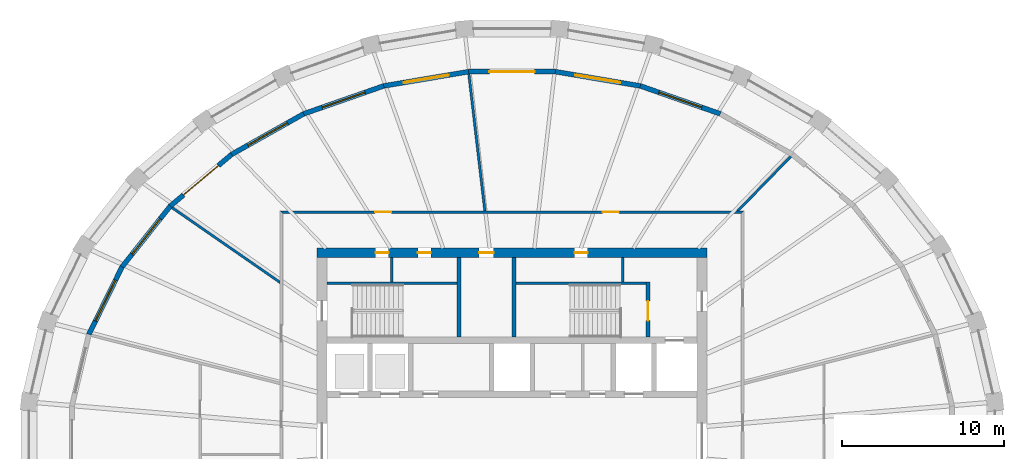
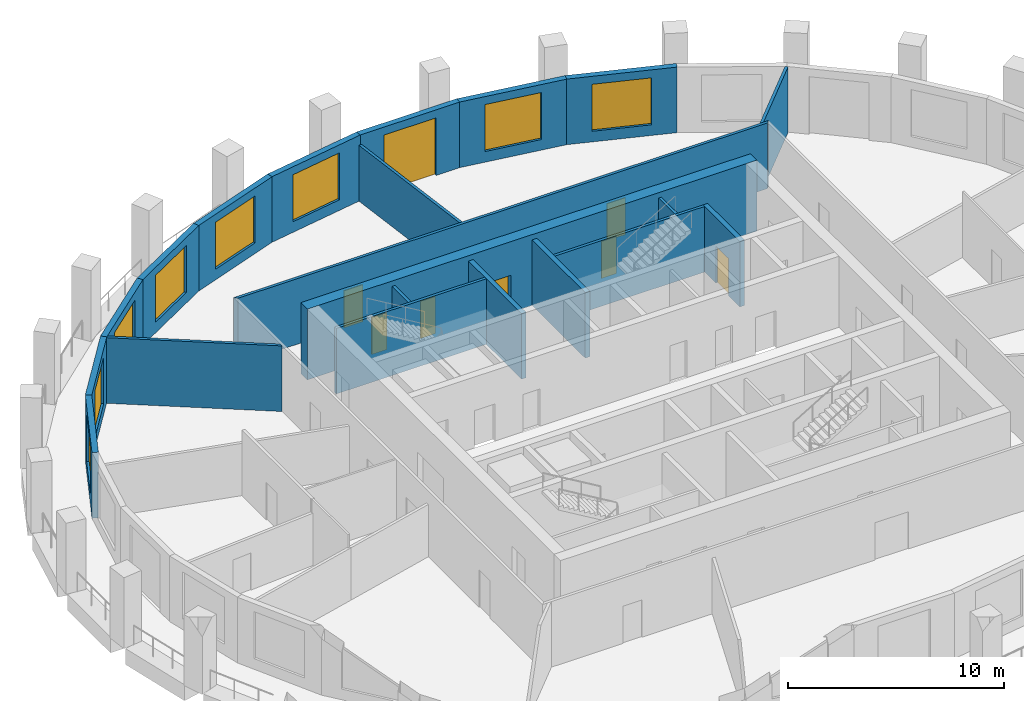
# One storey, part 6 of 10: 21 walls, 9 doors, 7 windows, 16 openings.
"""IFC4 building model written with IfcOpenShell, lengths in metres."""

from ifc_helpers import new_model, si_unit, direction, frame, frame_2d, origin, place, context, subcontext, project, spatial, polyline, rectangle, outline, extrude, material, layer, layer_set, type_object, element, fill, save


model = new_model("IFC4")

# Units and contexts
model_context = context("Model", 3, precision=1e-05, world=origin(), true_north=direction((0.0, 1.0)))
body_context = subcontext(model_context, "Body", "Model", "MODEL_VIEW")
ifc_project = project(units=[si_unit("LENGTHUNIT", "METRE"), si_unit("AREAUNIT", "SQUARE_METRE"), si_unit("VOLUMEUNIT", "CUBIC_METRE"), si_unit("PLANEANGLEUNIT", "RADIAN"), si_unit("MASSUNIT", "GRAM", prefix="KILO")], contexts=[model_context])

# Site, building, storey
site_placement = place(None, origin())
site = spatial("IfcSite", under=ifc_project, at=site_placement, CompositionType="ELEMENT")
building_placement = place(site_placement, origin())
building = spatial("IfcBuilding", under=site, at=building_placement, Name="Halqa Exchange Tower", CompositionType="ELEMENT")
storey_placement = place(building_placement, frame((0.0, 0.0, 272.300048828125)))
storey = spatial("IfcBuildingStorey", under=building, at=storey_placement, Name="L63", CompositionType="ELEMENT", Elevation=272.300048828125)

# Wall
ifc_material_1 = material(Name="Fire-rated gypsum board")
ifc_layer_1 = layer(ifc_material_1, 0.14990234375)
ifc_layer_set_1 = layer_set([ifc_layer_1], Name="Fire-rated gypsum board")
wall_type_1 = type_object("IfcWallType", Name="Fire partition EI 60 150", PredefinedType="PARTITIONING", material=ifc_layer_set_1)
wall_1_placement = place(storey_placement, frame((-14.232421875, 9.842529296875, 0.0), z_axis=(0.0, 0.0, 1.0), x_axis=(-0.822495571588, 0.56877151363, 0.0)))
element("IfcWall", 1, at=wall_1_placement, inside=storey, type_object=wall_type_1, Name="L63-PWL-010", PredefinedType="PARTITIONING", context=body_context, shape_type="SweptSolid", body=[
    extrude(outline(polyline([(0.103515625, -0.074951171875), (1.705322265625, -0.074951171875), (3.306884765625, -0.074951171875), (4.908447265625, -0.074951171875), (6.510009765625, -0.074951171875), (8.111572265625, -0.074951171875), (8.133056640625, 0.004150390625), (8.137451171875, 0.069580078125), (8.137451171875, 0.074951171875), (6.510009765625, 0.074951171875), (4.882568359375, 0.074951171875), (3.2548828125, 0.074951171875), (1.62744140625, 0.074951171875), (0.0, 0.074951171875), (0.0, 0.074951171875), (0.103515625, -0.074951171875)])), origin(), (0.0, 0.0, 1.0), 3.699951171875),
])

# Wall, openings, doors
wall_2_placement = place(storey_placement, frame((-14.27490234375, 14.199951171875, 0.0), z_axis=(0.0, 0.0, 1.0), x_axis=(1.0, 0.0, 0.0)))
wall_2 = element("IfcWall", 2, at=wall_2_placement, inside=storey, type_object=wall_type_1, Name="L63-PWL-011", PredefinedType="PARTITIONING", context=body_context, shape_type="SweptSolid", body=[
    extrude(outline(polyline([(0.14990234375, -0.074951171875), (2.033203125, -0.074951171875), (3.91650390625, -0.074951171875), (5.7998046875, -0.074951171875), (7.683349609375, -0.074951171875), (9.566650390625, -0.074951171875), (11.449951171875, -0.074951171875), (13.333251953125, -0.074951171875), (15.216552734375, -0.074951171875), (17.099853515625, -0.074951171875), (18.983154296875, -0.074951171875), (20.866455078125, -0.074951171875), (22.75, -0.074951171875), (24.63330078125, -0.074951171875), (26.5166015625, -0.074951171875), (28.39990234375, -0.074951171875), (28.5498046875, 0.074951171875), (28.5498046875, 0.074951171875), (26.646484375, 0.074951171875), (24.7431640625, 0.074951171875), (22.83984375, 0.074951171875), (20.9365234375, 0.074951171875), (19.033203125, 0.074951171875), (17.1298828125, 0.074951171875), (15.2265625, 0.074951171875), (13.3232421875, 0.074951171875), (11.419921875, 0.074951171875), (9.5166015625, 0.074951171875), (7.61328125, 0.074951171875), (5.7099609375, 0.074951171875), (3.806640625, 0.074951171875), (1.9033203125, 0.074951171875), (0.0, 0.074951171875), (0.14990234375, -0.074951171875)])), origin(), (0.0, 0.0, 1.0), 3.699951171875),
])
opening_1_placement = place(wall_2_placement, frame((5.844970703125, 0.0, 0.0)))
opening_1 = element("IfcOpeningElement", 3, at=opening_1_placement, cuts=wall_2, Name="Opening 19-01", PredefinedType="OPENING", context=body_context, shape_type="SweptSolid", body=[
    extrude(rectangle(XDim=1.0, YDim=2.10009765625, at=frame_2d((0.5, 1.050048828125))), frame((0.0, 0.0869140625, 0.0), z_axis=(0.0, -1.0, 0.0), x_axis=(1.0, 0.0, 0.0)), (0.0, 0.0, 1.0), 0.173828125),
])
opening_2_placement = place(wall_2_placement, frame((19.860107421875, 0.0, 0.0)))
opening_2 = element("IfcOpeningElement", 4, at=opening_2_placement, cuts=wall_2, Name="Opening 19-12", PredefinedType="OPENING", context=body_context, shape_type="SweptSolid", body=[
    extrude(rectangle(XDim=1.0, YDim=2.10009765625, at=frame_2d((0.5, 1.050048828125))), frame((0.0, 0.0869140625, 0.0), z_axis=(0.0, -1.0, 0.0), x_axis=(1.0, 0.0, 0.0)), (0.0, 0.0, 1.0), 0.173828125),
])
ifc_material_2 = material(Name="Steel fire door leaf", Category="steel")
door_type_1 = type_object("IfcDoorType", Name="Fire door FD30S 1000 x 2100", OperationType="SINGLE_SWING_LEFT", PredefinedType="DOOR", material=ifc_material_2)
door_1_placement = place(opening_1_placement, origin())
door_1 = element("IfcDoor", 5, at=door_1_placement, inside=storey, type_object=door_type_1, Name="L63-IDR-001", OperationType="SINGLE_SWING_RIGHT", OverallHeight=2.10009765625, OverallWidth=1.0, PredefinedType="DOOR", context=body_context, shape_type="SweptSolid", body=[
    extrude(rectangle(XDim=1.0, YDim=2.10009765625, at=frame_2d((0.5, 1.050048828125))), frame((0.0, 0.02490234375, 0.0), z_axis=(0.0, -1.0, 0.0), x_axis=(1.0, 0.0, 0.0)), (0.0, 0.0, 1.0), 0.050048828125),
])
fill(opening_1, door_1)
door_2_placement = place(opening_2_placement, origin())
door_2 = element("IfcDoor", 6, at=door_2_placement, inside=storey, type_object=door_type_1, Name="L63-IDR-012", OperationType="SINGLE_SWING_LEFT", OverallHeight=2.10009765625, OverallWidth=1.0, PredefinedType="DOOR", context=body_context, shape_type="SweptSolid", body=[
    extrude(rectangle(XDim=1.0, YDim=2.10009765625, at=frame_2d((0.5, 1.050048828125))), frame((0.0, 0.02490234375, 0.0), z_axis=(0.0, -1.0, 0.0), x_axis=(1.0, 0.0, 0.0)), (0.0, 0.0, 1.0), 0.050048828125),
])
fill(opening_2, door_2)

# Walls
wall_3_placement = place(storey_placement, frame((-2.654541015625, 22.6875, 0.0), z_axis=(0.0, 0.0, 1.0), x_axis=(0.116390143686, -0.993203571506, 0.0)))
element("IfcWall", 7, at=wall_3_placement, inside=storey, type_object=wall_type_1, Name="L63-PWL-014", PredefinedType="PARTITIONING", context=body_context, shape_type="SweptSolid", body=[
    extrude(outline(polyline([(0.0, -0.074951171875), (1.692138671875, -0.074951171875), (3.384521484375, -0.074951171875), (5.07666015625, -0.074951171875), (6.76904296875, -0.074951171875), (8.461181640625, -0.074951171875), (8.478515625, 0.072021484375), (8.478515625, 0.074951171875), (6.78369140625, 0.074951171875), (5.0888671875, 0.074951171875), (3.39404296875, 0.074951171875), (1.699462890625, 0.074951171875), (0.004638671875, 0.074951171875), (0.0, 0.0361328125), (0.0, -0.074951171875)])), origin(), (0.0, 0.0, 1.0), 3.14990234375),
])
wall_4_placement = place(storey_placement, frame((13.852294921875, 14.222900390625, 0.0), z_axis=(0.0, 0.0, 1.0), x_axis=(0.69820654799, 0.715896372629, 0.0)))
element("IfcWall", 8, at=wall_4_placement, inside=storey, type_object=wall_type_1, Name="L63-PWL-016", PredefinedType="PARTITIONING", context=body_context, shape_type="SweptSolid", body=[
    extrude(outline(polyline([(4.73388671875, -0.074951171875), (4.73388671875, 0.07470703125), (4.73388671875, 0.074951171875), (3.156005859375, 0.074951171875), (1.577880859375, 0.074951171875), (0.0, 0.074951171875), (0.0, 0.07470703125), (0.14599609375, -0.074951171875), (1.67529296875, -0.074951171875), (3.20458984375, -0.074951171875), (4.73388671875, -0.074951171875)])), origin(), (0.0, 0.0, 1.0), 3.699951171875),
])
ifc_material_3 = material(Name="Gypsum board")
ifc_layer_2 = layer(ifc_material_3, 0.14990234375)
ifc_layer_set_2 = layer_set([ifc_layer_2], Name="Gypsum board")
wall_type_2 = type_object("IfcWallType", Name="Penthouse riser wall 150 gypsum", PredefinedType="PARTITIONING", material=ifc_layer_set_2)
for number, where, z_axis, x_axis, name in (
    (9, (-7.39990234375, 9.89990234375, 0.0), (0.0, 0.0, 1.0), (0.0, 1.0, 0.0), "Partition W7.400 N"),
    (10, (6.824951171875, 9.89990234375, 0.0), (0.0, 0.0, 1.0), (0.0, 1.0, 0.0), "Firefighting lobby west wall N"),
):
    element("IfcWall", number, at=place(storey_placement, frame(where, z_axis=z_axis, x_axis=x_axis)), inside=storey, type_object=wall_type_2, Name=name, PredefinedType="PARTITIONING", context=body_context, shape_type="SweptSolid", body=[
        extrude(rectangle(XDim=1.5, YDim=0.14990234375, at=frame_2d((0.75, 0.0))), origin(), (0.0, 0.0, 1.0), 3.699951171875),
    ])

# Wall, openings, doors
ifc_material_4 = material(Name="Concrete C60/75", Category="concrete")
ifc_layer_3 = layer(ifc_material_4, 0.60009765625)
ifc_layer_set_3 = layer_set([ifc_layer_3], Name="Concrete C60/75")
wall_type_3 = type_object("IfcWallType", Name="RC core wall 600 C60/75", PredefinedType="SHEAR", material=ifc_layer_set_3)
wall_5_placement = place(storey_placement, frame((-12.0, 11.699951171875, 0.0), z_axis=(0.0, 0.0, 1.0), x_axis=(1.0, 0.0, 0.0)))
wall_5 = element("IfcWall", 11, at=wall_5_placement, inside=storey, type_object=wall_type_3, Name="Core wall north", PredefinedType="SHEAR", context=body_context, shape_type="SweptSolid", body=[
    extrude(rectangle(XDim=24.0, YDim=0.60009765625, at=frame_2d((12.0, 0.0))), origin(), (0.0, 0.0, 1.0), 4.0),
])
opening_3_placement = place(wall_5_placement, frame((9.97509765625, 0.0, 0.0)))
opening_3 = element("IfcOpeningElement", 12, at=opening_3_placement, cuts=wall_5, Name="Opening T19-C17", PredefinedType="OPENING", context=body_context, shape_type="SweptSolid", body=[
    extrude(rectangle(XDim=0.89990234375, YDim=2.10009765625, at=frame_2d((0.449951171875, 1.050048828125))), frame((0.0, 0.31201171875, 0.0), z_axis=(0.0, -1.0, 0.0), x_axis=(1.0, 0.0, 0.0)), (0.0, 0.0, 1.0), 0.6240234375),
])
opening_4_placement = place(wall_5_placement, frame((3.60009765625, 0.0, 0.0)))
opening_4 = element("IfcOpeningElement", 13, at=opening_4_placement, cuts=wall_5, Name="Opening T19-C18", PredefinedType="OPENING", context=body_context, shape_type="SweptSolid", body=[
    extrude(rectangle(XDim=0.800048828125, YDim=2.10009765625, at=frame_2d((0.39990234375, 1.050048828125))), frame((0.0, 0.31201171875, 0.0), z_axis=(0.0, -1.0, 0.0), x_axis=(1.0, 0.0, 0.0)), (0.0, 0.0, 1.0), 0.6240234375),
])
opening_5_placement = place(wall_5_placement, frame((6.199951171875, 0.0, 0.0)))
opening_5 = element("IfcOpeningElement", 14, at=opening_5_placement, cuts=wall_5, Name="Opening T19-C19", PredefinedType="OPENING", context=body_context, shape_type="SweptSolid", body=[
    extrude(rectangle(XDim=0.800048828125, YDim=2.10009765625, at=frame_2d((0.39990234375, 1.050048828125))), frame((0.0, 0.31201171875, 0.0), z_axis=(0.0, -1.0, 0.0), x_axis=(1.0, 0.0, 0.0)), (0.0, 0.0, 1.0), 0.6240234375),
])
opening_6_placement = place(wall_5_placement, frame((15.85009765625, 0.0, 0.0)))
opening_6 = element("IfcOpeningElement", 15, at=opening_6_placement, cuts=wall_5, Name="Opening T19-C20", PredefinedType="OPENING", context=body_context, shape_type="SweptSolid", body=[
    extrude(rectangle(XDim=0.800048828125, YDim=2.10009765625, at=frame_2d((0.39990234375, 1.050048828125))), frame((0.0, 0.31201171875, 0.0), z_axis=(0.0, -1.0, 0.0), x_axis=(1.0, 0.0, 0.0)), (0.0, 0.0, 1.0), 0.6240234375),
])
ifc_material_5 = material(Name="Timber fire door leaf", Category="wood")
door_type_2 = type_object("IfcDoorType", Name="Core room door FD30 900 x 2100", OperationType="SINGLE_SWING_LEFT", PredefinedType="DOOR", material=ifc_material_5)
door_3_placement = place(opening_3_placement, frame((0.89990234375, 0.0, 0.0), z_axis=(0.0, 0.0, 1.0), x_axis=(-1.0, 0.0, 0.0)))
door_3 = element("IfcDoor", 16, at=door_3_placement, inside=storey, type_object=door_type_2, Name="Core room door", OperationType="SINGLE_SWING_LEFT", OverallHeight=2.10009765625, OverallWidth=0.89990234375, PredefinedType="DOOR", context=body_context, shape_type="SweptSolid", body=[
    extrude(rectangle(XDim=0.89990234375, YDim=2.10009765625, at=frame_2d((0.449951171875, 1.050048828125))), frame((0.0, 0.02490234375, 0.0), z_axis=(0.0, -1.0, 0.0), x_axis=(1.0, 0.0, 0.0)), (0.0, 0.0, 1.0), 0.050048828125),
])
fill(opening_3, door_3)
door_type_3 = type_object("IfcDoorType", Name="Riser door FD60 800 x 2100", OperationType="SINGLE_SWING_LEFT", PredefinedType="DOOR", material=ifc_material_2)
door_4_placement = place(opening_4_placement, frame((0.800048828125, 0.0, 0.0), z_axis=(0.0, 0.0, 1.0), x_axis=(-1.0, 0.0, 0.0)))
door_4 = element("IfcDoor", 17, at=door_4_placement, inside=storey, type_object=door_type_3, Name="Core room door", OperationType="SINGLE_SWING_RIGHT", OverallHeight=2.10009765625, OverallWidth=0.800048828125, PredefinedType="DOOR", context=body_context, shape_type="SweptSolid", body=[
    extrude(rectangle(XDim=0.800048828125, YDim=2.10009765625, at=frame_2d((0.39990234375, 1.050048828125))), frame((0.0, 0.02490234375, 0.0), z_axis=(0.0, -1.0, 0.0), x_axis=(1.0, 0.0, 0.0)), (0.0, 0.0, 1.0), 0.050048828125),
])
fill(opening_4, door_4)
door_5_placement = place(opening_5_placement, frame((0.800048828125, 0.0, 0.0), z_axis=(0.0, 0.0, 1.0), x_axis=(-1.0, 0.0, 0.0)))
door_5 = element("IfcDoor", 18, at=door_5_placement, inside=storey, type_object=door_type_3, Name="Core room door", OperationType="SINGLE_SWING_RIGHT", OverallHeight=2.10009765625, OverallWidth=0.800048828125, PredefinedType="DOOR", context=body_context, shape_type="SweptSolid", body=[
    extrude(rectangle(XDim=0.800048828125, YDim=2.10009765625, at=frame_2d((0.39990234375, 1.050048828125))), frame((0.0, 0.02490234375, 0.0), z_axis=(0.0, -1.0, 0.0), x_axis=(1.0, 0.0, 0.0)), (0.0, 0.0, 1.0), 0.050048828125),
])
fill(opening_5, door_5)
door_6_placement = place(opening_6_placement, frame((0.800048828125, 0.0, 0.0), z_axis=(0.0, 0.0, 1.0), x_axis=(-1.0, 0.0, 0.0)))
door_6 = element("IfcDoor", 19, at=door_6_placement, inside=storey, type_object=door_type_3, Name="Core room door", OperationType="SINGLE_SWING_RIGHT", OverallHeight=2.10009765625, OverallWidth=0.800048828125, PredefinedType="DOOR", context=body_context, shape_type="SweptSolid", body=[
    extrude(rectangle(XDim=0.800048828125, YDim=2.10009765625, at=frame_2d((0.39990234375, 1.050048828125))), frame((0.0, 0.02490234375, 0.0), z_axis=(0.0, -1.0, 0.0), x_axis=(1.0, 0.0, 0.0)), (0.0, 0.0, 1.0), 0.050048828125),
])
fill(opening_6, door_6)

# Walls
ifc_material_6 = material(Name="Concrete C30/37", Category="concrete")
ifc_layer_4 = layer(ifc_material_6, 0.14990234375)
ifc_layer_set_4 = layer_set([ifc_layer_4], Name="Concrete C30/37")
wall_type_4 = type_object("IfcWallType", Name="RC stair wall 150 C30/37", PredefinedType="SHEAR", material=ifc_layer_set_4)
for number, where, z_axis, x_axis, name in (
    (20, (-11.39990234375, 9.824951171875, 0.0), (0.0, 0.0, 1.0), (1.0, 0.0, 0.0), "Stair ST1 north wall N"),
    (21, (0.25, 9.824951171875, 0.0), (0.0, 0.0, 1.0), (1.0, 0.0, 0.0), "Stair ST2 north wall N"),
):
    element("IfcWall", number, at=place(storey_placement, frame(where, z_axis=z_axis, x_axis=x_axis)), inside=storey, type_object=wall_type_4, Name=name, PredefinedType="SHEAR", context=body_context, shape_type="SweptSolid", body=[
        extrude(rectangle(XDim=8.0, YDim=0.14990234375, at=frame_2d((4.0, 0.0))), origin(), (0.0, 0.0, 1.0), 3.699951171875),
    ])
ifc_layer_5 = layer(ifc_material_6, 0.25)
ifc_layer_set_5 = layer_set([ifc_layer_5], Name="Concrete C30/37")
wall_type_5 = type_object("IfcWallType", Name="RC stair wall 250 C30/37", PredefinedType="SHEAR", material=ifc_layer_set_5)
for number, where, z_axis, x_axis, name in (
    (22, (-3.27490234375, 6.5, 0.0), (0.0, 0.0, 1.0), (0.0, 1.0, 0.0), "Stair ST1 east wall N"),
    (23, (0.125, 6.5, 0.0), (0.0, 0.0, 1.0), (0.0, 1.0, 0.0), "Stair ST2 west wall N"),
):
    element("IfcWall", number, at=place(storey_placement, frame(where, z_axis=z_axis, x_axis=x_axis)), inside=storey, type_object=wall_type_5, Name=name, PredefinedType="SHEAR", context=body_context, shape_type="SweptSolid", body=[
        extrude(rectangle(XDim=4.89990234375, YDim=0.25, at=frame_2d((2.449951171875, 0.0))), origin(), (0.0, 0.0, 1.0), 3.699951171875),
    ])

# Wall, opening, door
wall_6_placement = place(storey_placement, frame((8.375, 6.5, 0.0), z_axis=(0.0, 0.0, 1.0), x_axis=(0.0, 1.0, 0.0)))
wall_6 = element("IfcWall", 24, at=wall_6_placement, inside=storey, type_object=wall_type_5, Name="Stair ST2 east wall N", PredefinedType="SHEAR", context=body_context, shape_type="SweptSolid", body=[
    extrude(rectangle(XDim=3.39990234375, YDim=0.25, at=frame_2d((1.699951171875, 0.0))), origin(), (0.0, 0.0, 1.0), 3.699951171875),
])
opening_7_placement = place(wall_6_placement, frame((1.02490234375, 0.0, 0.0)))
opening_7 = element("IfcOpeningElement", 25, at=opening_7_placement, cuts=wall_6, Name="Opening T19-C12", PredefinedType="OPENING", context=body_context, shape_type="SweptSolid", body=[
    extrude(rectangle(XDim=1.199951171875, YDim=2.10009765625, at=frame_2d((0.60009765625, 1.050048828125))), frame((0.0, 0.136962890625, 0.0), z_axis=(0.0, -1.0, 0.0), x_axis=(1.0, 0.0, 0.0)), (0.0, 0.0, 1.0), 0.27392578125),
])
door_type_4 = type_object("IfcDoorType", Name="Stair door FD90 1200 x 2100", OperationType="SINGLE_SWING_LEFT", PredefinedType="DOOR", material=ifc_material_2)
door_7_placement = place(opening_7_placement, origin())
door_7 = element("IfcDoor", 26, at=door_7_placement, inside=storey, type_object=door_type_4, Name="Stair door ST2", OperationType="SINGLE_SWING_LEFT", OverallHeight=2.10009765625, OverallWidth=1.199951171875, PredefinedType="DOOR", context=body_context, shape_type="SweptSolid", body=[
    extrude(rectangle(XDim=1.199951171875, YDim=2.10009765625, at=frame_2d((0.60009765625, 1.050048828125))), frame((0.0, 0.02490234375, 0.0), z_axis=(0.0, -1.0, 0.0), x_axis=(1.0, 0.0, 0.0)), (0.0, 0.0, 1.0), 0.050048828125),
])
fill(opening_7, door_7)

# Wall, opening, window
ifc_material_7 = material(Name="Limestone cladding", Category="masonry")
ifc_layer_6 = layer(ifc_material_7, 0.0400390625)
ifc_material_8 = material(Name="Ventilated cavity")
ifc_layer_7 = layer(ifc_material_8, 0.030029296875, ventilated=True)
ifc_material_9 = material(Name="Mineral wool insulation")
ifc_layer_8 = layer(ifc_material_9, 0.10009765625)
ifc_layer_9 = layer(ifc_material_6, 0.10009765625)
ifc_material_10 = material(Name="Internal plaster")
ifc_layer_10 = layer(ifc_material_10, 0.030029296875)
ifc_layer_set_6 = layer_set([ifc_layer_6, ifc_layer_7, ifc_layer_8, ifc_layer_9, ifc_layer_10], Name="Stone-faced insulated wall 300")
wall_type_6 = type_object("IfcWallType", Name="Stone-faced insulated wall 300", PredefinedType="STANDARD", material=ifc_layer_set_6)
wall_7_placement = place(storey_placement, frame((12.822021484375, 20.246337890625, 0.0), z_axis=(0.0, 0.0, 1.0), x_axis=(-0.9441693858, 0.329460423904, 0.0)))
wall_7 = element("IfcWall", 27, at=wall_7_placement, inside=storey, type_object=wall_type_6, Name="Glass-line wall 6", PredefinedType="STANDARD", context=body_context, shape_type="SweptSolid", body=[
    extrude(outline(polyline([(-0.013427734375, -0.14990234375), (5.23095703125, -0.14990234375), (5.20556640625, 0.14990234375), (0.013427734375, 0.14990234375), (-0.013427734375, -0.14990234375)])), origin(), (0.0, 0.0, 1.0), 3.699951171875),
])
opening_8_placement = place(wall_7_placement, frame((1.209228515625, 0.0, 0.60009765625)))
opening_8 = element("IfcOpeningElement", 28, at=opening_8_placement, cuts=wall_7, Name="Opening W-F4-06", PredefinedType="OPENING", context=body_context, shape_type="SweptSolid", body=[
    extrude(rectangle(XDim=2.800048828125, YDim=2.64990234375, at=frame_2d((1.39990234375, 1.324951171875))), frame((0.0, 0.162109375, 0.0), z_axis=(0.0, -1.0, 0.0), x_axis=(1.0, 0.0, 0.0)), (0.0, 0.0, 1.0), 0.323974609375),
])
ifc_material_11 = material(Name="Clear low-emissivity glass in aluminium frame", Category="aluminium")
window_type = type_object("IfcWindowType", Name="Fixed clear glazed window 2800 x 2650", PartitioningType="DOUBLE_PANEL_VERTICAL", PredefinedType="WINDOW", material=ifc_material_11)
window_1_placement = place(opening_8_placement, origin())
window_1 = element("IfcWindow", 29, at=window_1_placement, inside=storey, type_object=window_type, Name="Window 4", OverallHeight=2.64990234375, OverallWidth=2.800048828125, PartitioningType="DOUBLE_PANEL_VERTICAL", PredefinedType="WINDOW", context=body_context, shape_type="SweptSolid", body=[
    extrude(rectangle(XDim=2.800048828125, YDim=2.64990234375, at=frame_2d((1.39990234375, 1.324951171875))), frame((0.0, 0.030029296875, 0.0), z_axis=(0.0, -1.0, 0.0), x_axis=(1.0, 0.0, 0.0)), (0.0, 0.0, 1.0), 0.06005859375),
])
fill(opening_8, window_1)

wall_8_placement = place(storey_placement, frame((7.89501953125, 21.965576171875, 0.0), z_axis=(0.0, 0.0, 1.0), x_axis=(-0.986250435411, 0.165257612993, 0.0)))
wall_8 = element("IfcWall", 30, at=wall_8_placement, inside=storey, type_object=wall_type_6, Name="Glass-line wall 7", PredefinedType="STANDARD", context=body_context, shape_type="SweptSolid", body=[
    extrude(outline(polyline([(-0.0126953125, -0.14990234375), (5.314697265625, -0.14990234375), (5.289794921875, 0.14990234375), (0.0126953125, 0.14990234375), (-0.0126953125, -0.14990234375)])), origin(), (0.0, 0.0, 1.0), 3.699951171875),
])
opening_9_placement = place(wall_8_placement, frame((1.2509765625, 0.0, 0.60009765625)))
opening_9 = element("IfcOpeningElement", 31, at=opening_9_placement, cuts=wall_8, Name="Opening W-F4-07", PredefinedType="OPENING", context=body_context, shape_type="SweptSolid", body=[
    extrude(rectangle(XDim=2.800048828125, YDim=2.64990234375, at=frame_2d((1.39990234375, 1.324951171875))), frame((0.0, 0.162109375, 0.0), z_axis=(0.0, -1.0, 0.0), x_axis=(1.0, 0.0, 0.0)), (0.0, 0.0, 1.0), 0.323974609375),
])
window_2_placement = place(opening_9_placement, origin())
window_2 = element("IfcWindow", 32, at=window_2_placement, inside=storey, type_object=window_type, Name="Window 4", OverallHeight=2.64990234375, OverallWidth=2.800048828125, PartitioningType="DOUBLE_PANEL_VERTICAL", PredefinedType="WINDOW", context=body_context, shape_type="SweptSolid", body=[
    extrude(rectangle(XDim=2.800048828125, YDim=2.64990234375, at=frame_2d((1.39990234375, 1.324951171875))), frame((0.0, 0.030029296875, 0.0), z_axis=(0.0, -1.0, 0.0), x_axis=(1.0, 0.0, 0.0)), (0.0, 0.0, 1.0), 0.06005859375),
])
fill(opening_9, window_2)

# Wall, opening, door
wall_9_placement = place(storey_placement, frame((2.665771484375, 22.841796875, 0.0), z_axis=(0.0, 0.0, 1.0), x_axis=(-1.0, 0.0, 0.0)))
wall_9 = element("IfcWall", 33, at=wall_9_placement, inside=storey, type_object=wall_type_6, Name="Glass-line wall 8", PredefinedType="STANDARD", context=body_context, shape_type="SweptSolid", body=[
    extrude(outline(polyline([(-0.012451171875, -0.14990234375), (5.343994140625, -0.14990234375), (5.319091796875, 0.14990234375), (0.012451171875, 0.14990234375), (-0.012451171875, -0.14990234375)])), origin(), (0.0, 0.0, 1.0), 3.699951171875),
])
opening_10_placement = place(wall_9_placement, frame((1.265625, 0.0, 0.0)))
opening_10 = element("IfcOpeningElement", 34, at=opening_10_placement, cuts=wall_9, Name="Opening LG-F4-02", PredefinedType="OPENING", context=body_context, shape_type="SweptSolid", body=[
    extrude(rectangle(XDim=2.800048828125, YDim=3.25, at=frame_2d((1.39990234375, 1.625))), frame((0.0, 0.162109375, 0.0), z_axis=(0.0, -1.0, 0.0), x_axis=(1.0, 0.0, 0.0)), (0.0, 0.0, 1.0), 0.323974609375),
])
door_type_5 = type_object("IfcDoorType", Name="Glazed sliding loggia door 2800 x 3250", OperationType="DOUBLE_DOOR_SLIDING", PredefinedType="DOOR", material=ifc_material_11)
door_8_placement = place(opening_10_placement, origin())
door_8 = element("IfcDoor", 35, at=door_8_placement, inside=storey, type_object=door_type_5, Name="Loggia door 2", OperationType="DOUBLE_DOOR_SLIDING", OverallHeight=3.25, OverallWidth=2.800048828125, PredefinedType="DOOR", context=body_context, shape_type="SweptSolid", body=[
    extrude(rectangle(XDim=2.800048828125, YDim=3.25, at=frame_2d((1.39990234375, 1.625))), frame((0.0, 0.02490234375, 0.0), z_axis=(0.0, -1.0, 0.0), x_axis=(1.0, 0.0, 0.0)), (0.0, 0.0, 1.0), 0.050048828125),
])
fill(opening_10, door_8)

# Wall, opening, window
wall_10_placement = place(storey_placement, frame((-2.665771484375, 22.841796875, 0.0), z_axis=(0.0, 0.0, 1.0), x_axis=(-0.986250435411, -0.165257612993, 0.0)))
wall_10 = element("IfcWall", 36, at=wall_10_placement, inside=storey, type_object=wall_type_6, Name="Glass-line wall 9", PredefinedType="STANDARD", context=body_context, shape_type="SweptSolid", body=[
    extrude(outline(polyline([(-0.012451171875, -0.14990234375), (5.31494140625, -0.14990234375), (5.28955078125, 0.14990234375), (0.012451171875, 0.14990234375), (-0.012451171875, -0.14990234375)])), origin(), (0.0, 0.0, 1.0), 3.699951171875),
])
opening_11_placement = place(wall_10_placement, frame((1.2509765625, 0.0, 0.60009765625)))
opening_11 = element("IfcOpeningElement", 37, at=opening_11_placement, cuts=wall_10, Name="Opening W-F4-09", PredefinedType="OPENING", context=body_context, shape_type="SweptSolid", body=[
    extrude(rectangle(XDim=2.800048828125, YDim=2.64990234375, at=frame_2d((1.39990234375, 1.324951171875))), frame((0.0, 0.162109375, 0.0), z_axis=(0.0, -1.0, 0.0), x_axis=(1.0, 0.0, 0.0)), (0.0, 0.0, 1.0), 0.323974609375),
])
window_3_placement = place(opening_11_placement, origin())
window_3 = element("IfcWindow", 38, at=window_3_placement, inside=storey, type_object=window_type, Name="Window 4", OverallHeight=2.64990234375, OverallWidth=2.800048828125, PartitioningType="DOUBLE_PANEL_VERTICAL", PredefinedType="WINDOW", context=body_context, shape_type="SweptSolid", body=[
    extrude(rectangle(XDim=2.800048828125, YDim=2.64990234375, at=frame_2d((1.39990234375, 1.324951171875))), frame((0.0, 0.030029296875, 0.0), z_axis=(0.0, -1.0, 0.0), x_axis=(1.0, 0.0, 0.0)), (0.0, 0.0, 1.0), 0.06005859375),
])
fill(opening_11, window_3)

wall_11_placement = place(storey_placement, frame((-7.89501953125, 21.965576171875, 0.0), z_axis=(0.0, 0.0, 1.0), x_axis=(-0.9441693858, -0.329460423904, 0.0)))
wall_11 = element("IfcWall", 39, at=wall_11_placement, inside=storey, type_object=wall_type_6, Name="Glass-line wall 10", PredefinedType="STANDARD", context=body_context, shape_type="SweptSolid", body=[
    extrude(outline(polyline([(-0.0126953125, -0.14990234375), (5.231689453125, -0.14990234375), (5.204833984375, 0.14990234375), (0.0126953125, 0.14990234375), (-0.0126953125, -0.14990234375)])), origin(), (0.0, 0.0, 1.0), 3.699951171875),
])
opening_12_placement = place(wall_11_placement, frame((1.209228515625, 0.0, 0.60009765625)))
opening_12 = element("IfcOpeningElement", 40, at=opening_12_placement, cuts=wall_11, Name="Opening W-F4-10", PredefinedType="OPENING", context=body_context, shape_type="SweptSolid", body=[
    extrude(rectangle(XDim=2.800048828125, YDim=2.64990234375, at=frame_2d((1.39990234375, 1.324951171875))), frame((0.0, 0.162109375, 0.0), z_axis=(0.0, -1.0, 0.0), x_axis=(1.0, 0.0, 0.0)), (0.0, 0.0, 1.0), 0.323974609375),
])
window_4_placement = place(opening_12_placement, origin())
window_4 = element("IfcWindow", 41, at=window_4_placement, inside=storey, type_object=window_type, Name="Window 4", OverallHeight=2.64990234375, OverallWidth=2.800048828125, PartitioningType="DOUBLE_PANEL_VERTICAL", PredefinedType="WINDOW", context=body_context, shape_type="SweptSolid", body=[
    extrude(rectangle(XDim=2.800048828125, YDim=2.64990234375, at=frame_2d((1.39990234375, 1.324951171875))), frame((0.0, 0.030029296875, 0.0), z_axis=(0.0, -1.0, 0.0), x_axis=(1.0, 0.0, 0.0)), (0.0, 0.0, 1.0), 0.06005859375),
])
fill(opening_12, window_4)

wall_12_placement = place(storey_placement, frame((-12.822021484375, 20.246337890625, 0.0), z_axis=(0.0, 0.0, 1.0), x_axis=(-0.871433320402, -0.490513983585, 0.0)))
wall_12 = element("IfcWall", 42, at=wall_12_placement, inside=storey, type_object=wall_type_6, Name="Glass-line wall 11", PredefinedType="STANDARD", context=body_context, shape_type="SweptSolid", body=[
    extrude(outline(polyline([(-0.013427734375, -0.14990234375), (5.1044921875, -0.14990234375), (5.076171875, 0.14990234375), (0.013427734375, 0.14990234375), (-0.013427734375, -0.14990234375)])), origin(), (0.0, 0.0, 1.0), 3.699951171875),
])
opening_13_placement = place(wall_12_placement, frame((1.14501953125, 0.0, 0.60009765625)))
opening_13 = element("IfcOpeningElement", 43, at=opening_13_placement, cuts=wall_12, Name="Opening W-F4-11", PredefinedType="OPENING", context=body_context, shape_type="SweptSolid", body=[
    extrude(rectangle(XDim=2.800048828125, YDim=2.64990234375, at=frame_2d((1.39990234375, 1.324951171875))), frame((0.0, 0.162109375, 0.0), z_axis=(0.0, -1.0, 0.0), x_axis=(1.0, 0.0, 0.0)), (0.0, 0.0, 1.0), 0.323974609375),
])
window_5_placement = place(opening_13_placement, origin())
window_5 = element("IfcWindow", 44, at=window_5_placement, inside=storey, type_object=window_type, Name="Window 4", OverallHeight=2.64990234375, OverallWidth=2.800048828125, PartitioningType="DOUBLE_PANEL_VERTICAL", PredefinedType="WINDOW", context=body_context, shape_type="SweptSolid", body=[
    extrude(rectangle(XDim=2.800048828125, YDim=2.64990234375, at=frame_2d((1.39990234375, 1.324951171875))), frame((0.0, 0.030029296875, 0.0), z_axis=(0.0, -1.0, 0.0), x_axis=(1.0, 0.0, 0.0)), (0.0, 0.0, 1.0), 0.06005859375),
])
fill(opening_13, window_5)

# Wall, opening, door
wall_13_placement = place(storey_placement, frame((-17.2578125, 17.74951171875, 0.0), z_axis=(0.0, 0.0, 1.0), x_axis=(-0.764832940795, -0.644228664897, 0.0)))
wall_13 = element("IfcWall", 45, at=wall_13_placement, inside=storey, type_object=wall_type_6, Name="Glass-line wall 12", PredefinedType="STANDARD", context=body_context, shape_type="SweptSolid", body=[
    extrude(outline(polyline([(-0.01416015625, -0.14990234375), (4.950439453125, -0.14990234375), (4.920166015625, 0.14990234375), (0.01416015625, 0.14990234375), (-0.01416015625, -0.14990234375)])), origin(), (0.0, 0.0, 1.0), 3.699951171875),
])
opening_14_placement = place(wall_13_placement, frame((1.067626953125, 0.0, 0.0)))
opening_14 = element("IfcOpeningElement", 46, at=opening_14_placement, cuts=wall_13, Name="Opening LG-F4-03", PredefinedType="OPENING", context=body_context, shape_type="SweptSolid", body=[
    extrude(rectangle(XDim=2.800048828125, YDim=3.25, at=frame_2d((1.39990234375, 1.625))), frame((0.0, 0.162109375, 0.0), z_axis=(0.0, -1.0, 0.0), x_axis=(1.0, 0.0, 0.0)), (0.0, 0.0, 1.0), 0.323974609375),
])
door_9_placement = place(opening_14_placement, origin())
door_9 = element("IfcDoor", 47, at=door_9_placement, inside=storey, type_object=door_type_5, Name="Loggia door 3", OperationType="DOUBLE_DOOR_SLIDING", OverallHeight=3.25, OverallWidth=2.800048828125, PredefinedType="DOOR", context=body_context, shape_type="SweptSolid", body=[
    extrude(rectangle(XDim=2.800048828125, YDim=3.25, at=frame_2d((1.39990234375, 1.625))), frame((0.0, 0.02490234375, 0.0), z_axis=(0.0, -1.0, 0.0), x_axis=(1.0, 0.0, 0.0)), (0.0, 0.0, 1.0), 0.050048828125),
])
fill(opening_14, door_9)

# Wall, opening, window
wall_14_placement = place(storey_placement, frame((-21.032470703125, 14.570068359375, 0.0), z_axis=(0.0, 0.0, 1.0), x_axis=(-0.621434755851, -0.783465917715, 0.0)))
wall_14 = element("IfcWall", 48, at=wall_14_placement, inside=storey, type_object=wall_type_6, Name="Glass-line wall 13", PredefinedType="STANDARD", context=body_context, shape_type="SweptSolid", body=[
    extrude(outline(polyline([(-0.01513671875, -0.14990234375), (4.791015625, -0.14990234375), (4.7587890625, 0.14990234375), (0.01513671875, 0.14990234375), (-0.01513671875, -0.14990234375)])), origin(), (0.0, 0.0, 1.0), 3.699951171875),
])
opening_15_placement = place(wall_14_placement, frame((0.9873046875, 0.0, 0.60009765625)))
opening_15 = element("IfcOpeningElement", 49, at=opening_15_placement, cuts=wall_14, Name="Opening W-F4-13", PredefinedType="OPENING", context=body_context, shape_type="SweptSolid", body=[
    extrude(rectangle(XDim=2.800048828125, YDim=2.64990234375, at=frame_2d((1.39990234375, 1.324951171875))), frame((0.0, 0.162109375, 0.0), z_axis=(0.0, -1.0, 0.0), x_axis=(1.0, 0.0, 0.0)), (0.0, 0.0, 1.0), 0.323974609375),
])
window_6_placement = place(opening_15_placement, origin())
window_6 = element("IfcWindow", 50, at=window_6_placement, inside=storey, type_object=window_type, Name="Window 4", OverallHeight=2.64990234375, OverallWidth=2.800048828125, PartitioningType="DOUBLE_PANEL_VERTICAL", PredefinedType="WINDOW", context=body_context, shape_type="SweptSolid", body=[
    extrude(rectangle(XDim=2.800048828125, YDim=2.64990234375, at=frame_2d((1.39990234375, 1.324951171875))), frame((0.0, 0.030029296875, 0.0), z_axis=(0.0, -1.0, 0.0), x_axis=(1.0, 0.0, 0.0)), (0.0, 0.0, 1.0), 0.06005859375),
])
fill(opening_15, window_6)

wall_15_placement = place(storey_placement, frame((-23.999755859375, 10.8291015625, 0.0), z_axis=(0.0, 0.0, 1.0), x_axis=(-0.441261940724, -0.897378348117, 0.0)))
wall_15 = element("IfcWall", 51, at=wall_15_placement, inside=storey, type_object=wall_type_6, Name="Glass-line wall 14", PredefinedType="STANDARD", context=body_context, shape_type="SweptSolid", body=[
    extrude(outline(polyline([(-0.01611328125, -0.14990234375), (4.651611328125, -0.14990234375), (4.617919921875, 0.14990234375), (0.01611328125, 0.14990234375), (-0.01611328125, -0.14990234375)])), origin(), (0.0, 0.0, 1.0), 3.699951171875),
])
opening_16_placement = place(wall_15_placement, frame((0.91748046875, 0.0, 0.60009765625)))
opening_16 = element("IfcOpeningElement", 52, at=opening_16_placement, cuts=wall_15, Name="Opening W-F4-14", PredefinedType="OPENING", context=body_context, shape_type="SweptSolid", body=[
    extrude(rectangle(XDim=2.800048828125, YDim=2.64990234375, at=frame_2d((1.39990234375, 1.324951171875))), frame((0.0, 0.162109375, 0.0), z_axis=(0.0, -1.0, 0.0), x_axis=(1.0, 0.0, 0.0)), (0.0, 0.0, 1.0), 0.323974609375),
])
window_7_placement = place(opening_16_placement, origin())
window_7 = element("IfcWindow", 53, at=window_7_placement, inside=storey, type_object=window_type, Name="Window 4", OverallHeight=2.64990234375, OverallWidth=2.800048828125, PartitioningType="DOUBLE_PANEL_VERTICAL", PredefinedType="WINDOW", context=body_context, shape_type="SweptSolid", body=[
    extrude(rectangle(XDim=2.800048828125, YDim=2.64990234375, at=frame_2d((1.39990234375, 1.324951171875))), frame((0.0, 0.030029296875, 0.0), z_axis=(0.0, -1.0, 0.0), x_axis=(1.0, 0.0, 0.0)), (0.0, 0.0, 1.0), 0.06005859375),
])
fill(opening_16, window_7)

save(model, "model.ifc")
